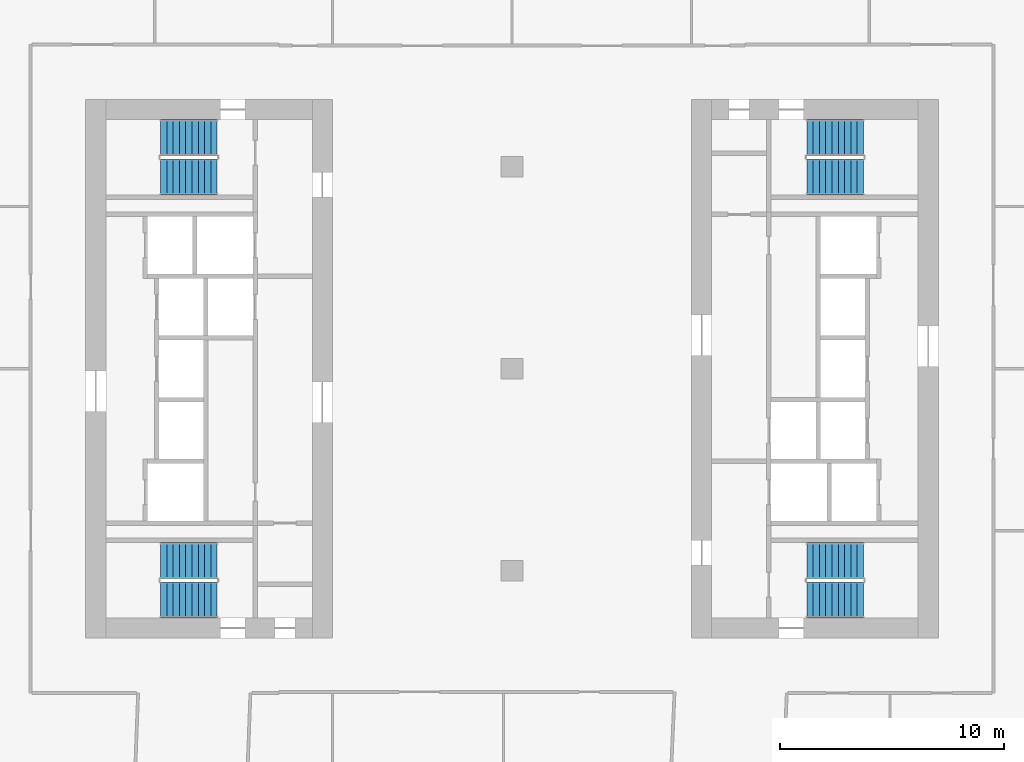
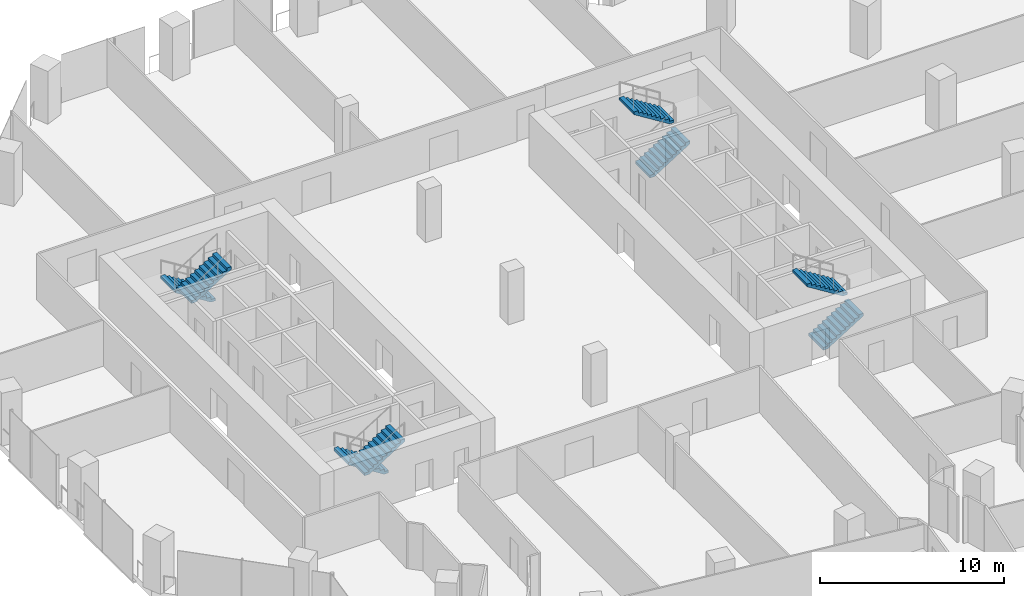
# One storey, part 24 of 29: 8 stair flights, 4 elements without a shape of their own.
"""IFC4 building model written with IfcOpenShell, lengths in metres."""

from ifc_helpers import new_model, si_unit, direction, frame, origin, place, context, subcontext, project, spatial, polyline, outline, extrude, material, type_object, element, aggregate, save


model = new_model("IFC4")

# Units and contexts
model_context = context("Model", 3, precision=1e-05, world=origin(), true_north=direction((0.0, 1.0)))
body_context = subcontext(model_context, "Body", "Model", "MODEL_VIEW")
ifc_project = project(units=[si_unit("LENGTHUNIT", "METRE"), si_unit("AREAUNIT", "SQUARE_METRE"), si_unit("VOLUMEUNIT", "CUBIC_METRE"), si_unit("PLANEANGLEUNIT", "RADIAN"), si_unit("MASSUNIT", "GRAM", prefix="KILO")], contexts=[model_context])

# Site, building, storey
site_placement = place(None, origin())
site = spatial("IfcSite", under=ifc_project, at=site_placement, CompositionType="ELEMENT")
building_placement = place(site_placement, origin())
building = spatial("IfcBuilding", under=site, at=building_placement, Name="Orlundy Tower", CompositionType="ELEMENT")
storey_placement = place(building_placement, frame((0.0, 0.0, 188.60009765625)))
storey = spatial("IfcBuildingStorey", under=building, at=storey_placement, Name="L49", CompositionType="ELEMENT", Elevation=188.60009765625)

# Stair, stair flights
ifc_material_1 = material(Name="Concrete C50/60", Category="concrete")
stair_type = type_object("IfcStairType", Name="Exit Stair 20 risers", PredefinedType="HALF_TURN_STAIR", material=ifc_material_1)
stair_1_placement = place(storey_placement, origin())
stair_1 = element("IfcStair", 1, at=stair_1_placement, inside=storey, type_object=stair_type, Name="L49 Exit Stair ST-W1", PredefinedType="HALF_TURN_STAIR")
ifc_material_2 = material(Name="Concrete C50/60", Category="concrete")
stair_flight_type = type_object("IfcStairFlightType", Name="Stair Flight 10 risers", PredefinedType="STRAIGHT", material=ifc_material_2)
stair_flight_1_placement = place(storey_placement, frame((-13.139892578125, 10.300048828125, 0.0), z_axis=(0.0, 0.0, 1.0), x_axis=(-1.0, 0.0, 0.0)))
stair_flight_1 = element("IfcStairFlight", 2, at=stair_flight_1_placement, type_object=stair_flight_type, Name="ST-W1 flight 1", NumberOfRisers=10, NumberOfTreads=9, PredefinedType="STRAIGHT", RiserHeight=0.175, TreadLength=0.28, context=body_context, shape_type="SweptSolid", body=[
    extrude(outline(polyline([(0.0, 0.0), (0.0, 0.175048828125), (0.280029296875, 0.175048828125), (0.280029296875, 0.35009765625), (0.56005859375, 0.35009765625), (0.56005859375, 0.52490234375), (0.840087890625, 0.52490234375), (0.840087890625, 0.699951171875), (1.1201171875, 0.699951171875), (1.1201171875, 0.875), (1.39990234375, 0.875), (1.39990234375, 1.050048828125), (1.679931640625, 1.050048828125), (1.679931640625, 1.22509765625), (1.9599609375, 1.22509765625), (1.9599609375, 1.39990234375), (2.239990234375, 1.39990234375), (2.239990234375, 1.574951171875), (2.52001953125, 1.574951171875), (2.52001953125, 1.75), (2.52001953125, 1.398193359375), (0.28271484375, 0.0), (0.0, 0.0)])), frame((0.0, 0.800048828125, 0.0), z_axis=(0.0, -1.0, 0.0), x_axis=(1.0, 0.0, 0.0)), (0.0, 0.0, 1.0), 1.60009765625),
])
stair_flight_2_placement = place(storey_placement, frame((-15.659912109375, 8.550048828125, 1.75), z_axis=(0.0, 0.0, 1.0), x_axis=(1.0, 0.0, 0.0)))
stair_flight_2 = element("IfcStairFlight", 3, at=stair_flight_2_placement, type_object=stair_flight_type, Name="ST-W1 flight 2", NumberOfRisers=10, NumberOfTreads=9, PredefinedType="STRAIGHT", RiserHeight=0.175, TreadLength=0.28, context=body_context, shape_type="SweptSolid", body=[
    extrude(outline(polyline([(0.0, 0.0), (0.0, 0.175048828125), (0.280029296875, 0.175048828125), (0.280029296875, 0.35009765625), (0.56005859375, 0.35009765625), (0.56005859375, 0.52490234375), (0.840087890625, 0.52490234375), (0.840087890625, 0.699951171875), (1.1201171875, 0.699951171875), (1.1201171875, 0.875), (1.39990234375, 0.875), (1.39990234375, 1.050048828125), (1.679931640625, 1.050048828125), (1.679931640625, 1.22509765625), (1.9599609375, 1.22509765625), (1.9599609375, 1.39990234375), (2.239990234375, 1.39990234375), (2.239990234375, 1.574951171875), (2.52001953125, 1.574951171875), (2.52001953125, 1.75), (2.52001953125, 1.398193359375), (0.28271484375, 0.0), (0.0, 0.0)])), frame((0.0, 0.800048828125, 0.0), z_axis=(0.0, -1.0, 0.0), x_axis=(1.0, 0.0, 0.0)), (0.0, 0.0, 1.0), 1.60009765625),
])
aggregate(stair_1, [stair_flight_1, stair_flight_2])

stair_2_placement = place(storey_placement, origin())
stair_2 = element("IfcStair", 4, at=stair_2_placement, inside=storey, type_object=stair_type, Name="L49 Exit Stair ST-W2", PredefinedType="HALF_TURN_STAIR")
stair_flight_3_placement = place(storey_placement, frame((-13.139892578125, -8.550048828125, 0.0), z_axis=(0.0, 0.0, 1.0), x_axis=(-1.0, 0.0, 0.0)))
stair_flight_3 = element("IfcStairFlight", 5, at=stair_flight_3_placement, type_object=stair_flight_type, Name="ST-W2 flight 1", NumberOfRisers=10, NumberOfTreads=9, PredefinedType="STRAIGHT", RiserHeight=0.175, TreadLength=0.28, context=body_context, shape_type="SweptSolid", body=[
    extrude(outline(polyline([(0.0, 0.0), (0.0, 0.175048828125), (0.280029296875, 0.175048828125), (0.280029296875, 0.35009765625), (0.56005859375, 0.35009765625), (0.56005859375, 0.52490234375), (0.840087890625, 0.52490234375), (0.840087890625, 0.699951171875), (1.1201171875, 0.699951171875), (1.1201171875, 0.875), (1.39990234375, 0.875), (1.39990234375, 1.050048828125), (1.679931640625, 1.050048828125), (1.679931640625, 1.22509765625), (1.9599609375, 1.22509765625), (1.9599609375, 1.39990234375), (2.239990234375, 1.39990234375), (2.239990234375, 1.574951171875), (2.52001953125, 1.574951171875), (2.52001953125, 1.75), (2.52001953125, 1.398193359375), (0.28271484375, 0.0), (0.0, 0.0)])), frame((0.0, 0.800048828125, 0.0), z_axis=(0.0, -1.0, 0.0), x_axis=(1.0, 0.0, 0.0)), (0.0, 0.0, 1.0), 1.60009765625),
])
stair_flight_4_placement = place(storey_placement, frame((-15.659912109375, -10.300048828125, 1.75), z_axis=(0.0, 0.0, 1.0), x_axis=(1.0, 0.0, 0.0)))
stair_flight_4 = element("IfcStairFlight", 6, at=stair_flight_4_placement, type_object=stair_flight_type, Name="ST-W2 flight 2", NumberOfRisers=10, NumberOfTreads=9, PredefinedType="STRAIGHT", RiserHeight=0.175, TreadLength=0.28, context=body_context, shape_type="SweptSolid", body=[
    extrude(outline(polyline([(0.0, 0.0), (0.0, 0.175048828125), (0.280029296875, 0.175048828125), (0.280029296875, 0.35009765625), (0.56005859375, 0.35009765625), (0.56005859375, 0.52490234375), (0.840087890625, 0.52490234375), (0.840087890625, 0.699951171875), (1.1201171875, 0.699951171875), (1.1201171875, 0.875), (1.39990234375, 0.875), (1.39990234375, 1.050048828125), (1.679931640625, 1.050048828125), (1.679931640625, 1.22509765625), (1.9599609375, 1.22509765625), (1.9599609375, 1.39990234375), (2.239990234375, 1.39990234375), (2.239990234375, 1.574951171875), (2.52001953125, 1.574951171875), (2.52001953125, 1.75), (2.52001953125, 1.398193359375), (0.28271484375, 0.0), (0.0, 0.0)])), frame((0.0, 0.800048828125, 0.0), z_axis=(0.0, -1.0, 0.0), x_axis=(1.0, 0.0, 0.0)), (0.0, 0.0, 1.0), 1.60009765625),
])
aggregate(stair_2, [stair_flight_3, stair_flight_4])

stair_3_placement = place(storey_placement, origin())
stair_3 = element("IfcStair", 7, at=stair_3_placement, inside=storey, type_object=stair_type, Name="L49 Exit Stair ST-E1", PredefinedType="HALF_TURN_STAIR")
stair_flight_5_placement = place(storey_placement, frame((13.139892578125, -10.300048828125, 0.0), z_axis=(0.0, 0.0, 1.0), x_axis=(1.0, 0.0, 0.0)))
stair_flight_5 = element("IfcStairFlight", 8, at=stair_flight_5_placement, type_object=stair_flight_type, Name="ST-E1 flight 1", NumberOfRisers=10, NumberOfTreads=9, PredefinedType="STRAIGHT", RiserHeight=0.175, TreadLength=0.28, context=body_context, shape_type="SweptSolid", body=[
    extrude(outline(polyline([(0.0, 0.0), (0.0, 0.175048828125), (0.280029296875, 0.175048828125), (0.280029296875, 0.35009765625), (0.56005859375, 0.35009765625), (0.56005859375, 0.52490234375), (0.840087890625, 0.52490234375), (0.840087890625, 0.699951171875), (1.1201171875, 0.699951171875), (1.1201171875, 0.875), (1.39990234375, 0.875), (1.39990234375, 1.050048828125), (1.679931640625, 1.050048828125), (1.679931640625, 1.22509765625), (1.9599609375, 1.22509765625), (1.9599609375, 1.39990234375), (2.239990234375, 1.39990234375), (2.239990234375, 1.574951171875), (2.52001953125, 1.574951171875), (2.52001953125, 1.75), (2.52001953125, 1.398193359375), (0.28271484375, 0.0), (0.0, 0.0)])), frame((0.0, 0.800048828125, 0.0), z_axis=(0.0, -1.0, 0.0), x_axis=(1.0, 0.0, 0.0)), (0.0, 0.0, 1.0), 1.60009765625),
])
stair_flight_6_placement = place(storey_placement, frame((15.659912109375, -8.550048828125, 1.75), z_axis=(0.0, 0.0, 1.0), x_axis=(-1.0, 0.0, 0.0)))
stair_flight_6 = element("IfcStairFlight", 9, at=stair_flight_6_placement, type_object=stair_flight_type, Name="ST-E1 flight 2", NumberOfRisers=10, NumberOfTreads=9, PredefinedType="STRAIGHT", RiserHeight=0.175, TreadLength=0.28, context=body_context, shape_type="SweptSolid", body=[
    extrude(outline(polyline([(0.0, 0.0), (0.0, 0.175048828125), (0.280029296875, 0.175048828125), (0.280029296875, 0.35009765625), (0.56005859375, 0.35009765625), (0.56005859375, 0.52490234375), (0.840087890625, 0.52490234375), (0.840087890625, 0.699951171875), (1.1201171875, 0.699951171875), (1.1201171875, 0.875), (1.39990234375, 0.875), (1.39990234375, 1.050048828125), (1.679931640625, 1.050048828125), (1.679931640625, 1.22509765625), (1.9599609375, 1.22509765625), (1.9599609375, 1.39990234375), (2.239990234375, 1.39990234375), (2.239990234375, 1.574951171875), (2.52001953125, 1.574951171875), (2.52001953125, 1.75), (2.52001953125, 1.398193359375), (0.28271484375, 0.0), (0.0, 0.0)])), frame((0.0, 0.800048828125, 0.0), z_axis=(0.0, -1.0, 0.0), x_axis=(1.0, 0.0, 0.0)), (0.0, 0.0, 1.0), 1.60009765625),
])
aggregate(stair_3, [stair_flight_5, stair_flight_6])

stair_4_placement = place(storey_placement, origin())
stair_4 = element("IfcStair", 10, at=stair_4_placement, inside=storey, type_object=stair_type, Name="L49 Exit Stair ST-E2", PredefinedType="HALF_TURN_STAIR")
stair_flight_7_placement = place(storey_placement, frame((13.139892578125, 8.550048828125, 0.0), z_axis=(0.0, 0.0, 1.0), x_axis=(1.0, 0.0, 0.0)))
stair_flight_7 = element("IfcStairFlight", 11, at=stair_flight_7_placement, type_object=stair_flight_type, Name="ST-E2 flight 1", NumberOfRisers=10, NumberOfTreads=9, PredefinedType="STRAIGHT", RiserHeight=0.175, TreadLength=0.28, context=body_context, shape_type="SweptSolid", body=[
    extrude(outline(polyline([(0.0, 0.0), (0.0, 0.175048828125), (0.280029296875, 0.175048828125), (0.280029296875, 0.35009765625), (0.56005859375, 0.35009765625), (0.56005859375, 0.52490234375), (0.840087890625, 0.52490234375), (0.840087890625, 0.699951171875), (1.1201171875, 0.699951171875), (1.1201171875, 0.875), (1.39990234375, 0.875), (1.39990234375, 1.050048828125), (1.679931640625, 1.050048828125), (1.679931640625, 1.22509765625), (1.9599609375, 1.22509765625), (1.9599609375, 1.39990234375), (2.239990234375, 1.39990234375), (2.239990234375, 1.574951171875), (2.52001953125, 1.574951171875), (2.52001953125, 1.75), (2.52001953125, 1.398193359375), (0.28271484375, 0.0), (0.0, 0.0)])), frame((0.0, 0.800048828125, 0.0), z_axis=(0.0, -1.0, 0.0), x_axis=(1.0, 0.0, 0.0)), (0.0, 0.0, 1.0), 1.60009765625),
])
stair_flight_8_placement = place(storey_placement, frame((15.659912109375, 10.300048828125, 1.75), z_axis=(0.0, 0.0, 1.0), x_axis=(-1.0, 0.0, 0.0)))
stair_flight_8 = element("IfcStairFlight", 12, at=stair_flight_8_placement, type_object=stair_flight_type, Name="ST-E2 flight 2", NumberOfRisers=10, NumberOfTreads=9, PredefinedType="STRAIGHT", RiserHeight=0.175, TreadLength=0.28, context=body_context, shape_type="SweptSolid", body=[
    extrude(outline(polyline([(0.0, 0.0), (0.0, 0.175048828125), (0.280029296875, 0.175048828125), (0.280029296875, 0.35009765625), (0.56005859375, 0.35009765625), (0.56005859375, 0.52490234375), (0.840087890625, 0.52490234375), (0.840087890625, 0.699951171875), (1.1201171875, 0.699951171875), (1.1201171875, 0.875), (1.39990234375, 0.875), (1.39990234375, 1.050048828125), (1.679931640625, 1.050048828125), (1.679931640625, 1.22509765625), (1.9599609375, 1.22509765625), (1.9599609375, 1.39990234375), (2.239990234375, 1.39990234375), (2.239990234375, 1.574951171875), (2.52001953125, 1.574951171875), (2.52001953125, 1.75), (2.52001953125, 1.398193359375), (0.28271484375, 0.0), (0.0, 0.0)])), frame((0.0, 0.800048828125, 0.0), z_axis=(0.0, -1.0, 0.0), x_axis=(1.0, 0.0, 0.0)), (0.0, 0.0, 1.0), 1.60009765625),
])
aggregate(stair_4, [stair_flight_7, stair_flight_8])

save(model, "model.ifc")
